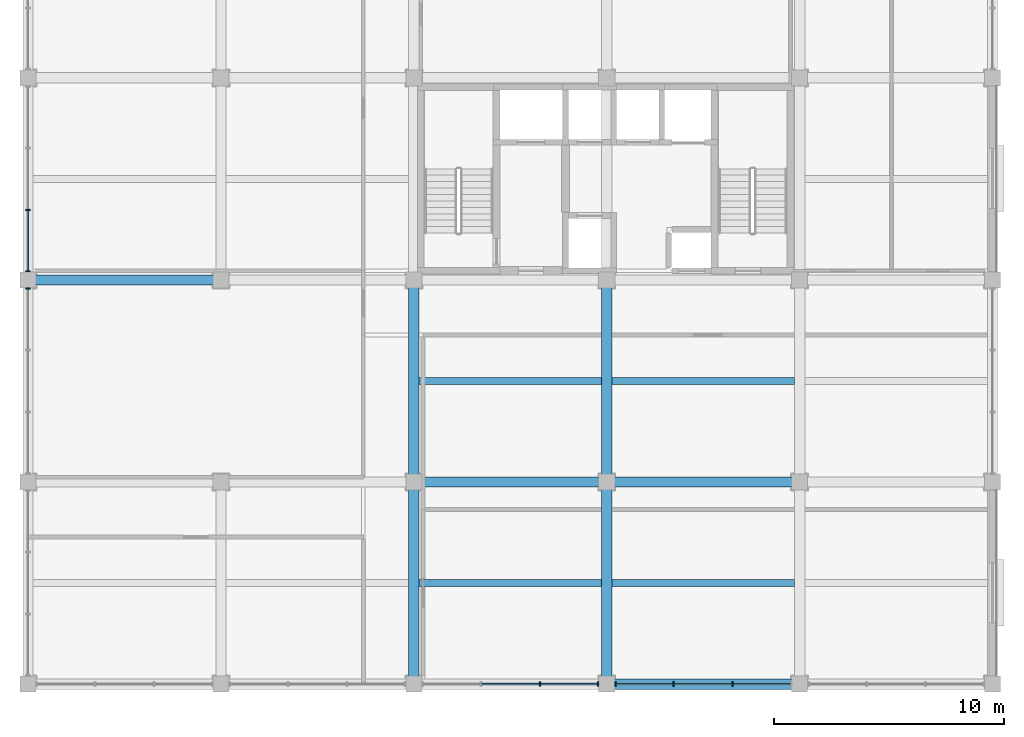
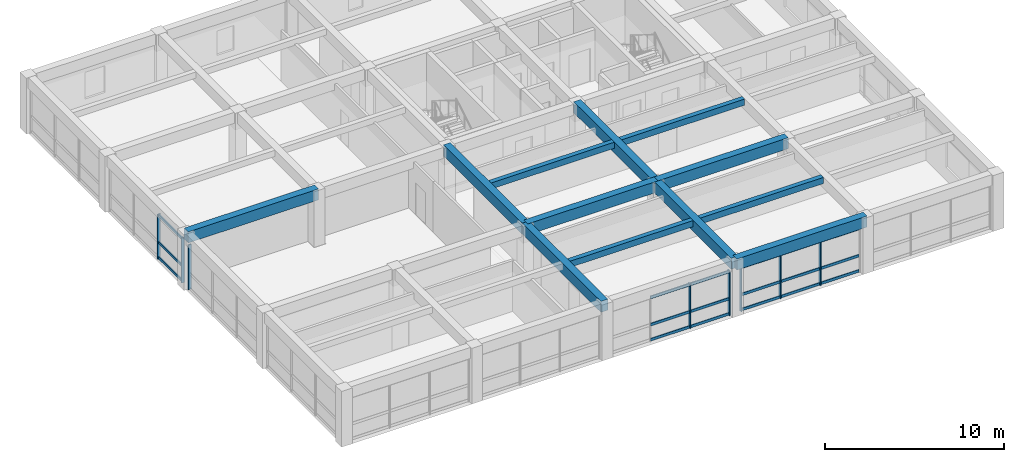
# One storey, part 3 of 13: 26 members, 12 beams, 4 elements without a shape of their own.
"""IFC4 building model written with IfcOpenShell, lengths in metres."""

import ifcopenshell
import ifcopenshell.guid

model = None  # the IFC model being written
_history = None  # IfcOwnerHistory: only IFC2X3 demands one
_inside = {}  # id of a spatial element -> (the spatial element, [elements in it])
_under = {}  # id of a project, library or spatial element -> (it, [spatial elements below it])
_declared = {}  # id of a project -> (the project, [libraries it declares])
_typed = {}  # id of a type object -> (the type object, [elements of that type])
_made_of = {}  # id of a material, layer set ... -> (it, [elements and type objects made of it])


def new_model(schema):
    """Start an empty IFC model of exactly this schema.

    Asked for "IFC4X3", IfcOpenShell would pick the latest addendum, in which some entities
    have other attributes; the version numbers below select the first issue.
    IFC2X3 requires an IfcOwnerHistory on every rooted entity: one is made here for all.
    """
    global model, _history
    if schema == "IFC4X3":
        model = ifcopenshell.file(schema_version=(4, 3, 0, 0))
    else:
        model = ifcopenshell.file(schema=schema)
    _inside.clear()
    _under.clear()
    _declared.clear()
    _typed.clear()
    _made_of.clear()
    _history = None
    if model.schema == "IFC2X3":
        org = make("IfcOrganization", Name="unknown")
        user = make(
            "IfcPersonAndOrganization",
            ThePerson=make("IfcPerson", FamilyName="unknown"),
            TheOrganization=org,
        )
        app = make(
            "IfcApplication",
            ApplicationDeveloper=org,
            Version="unknown",
            ApplicationFullName="unknown",
            ApplicationIdentifier="unknown",
        )
        _history = make(
            "IfcOwnerHistory",
            OwningUser=user,
            OwningApplication=app,
            ChangeAction="ADDED",
            CreationDate=0,
        )
    return model


def make(cls, **values):
    """One entity of the class cls with the attributes given. An attribute that is None is left unset."""
    return model.create_entity(
        cls, **{name: value for name, value in values.items() if value is not None}
    )


def rooted(cls, **values):
    """An entity with a GlobalId (a new one), such as an element, a storey or a relation."""
    return make(cls, GlobalId=ifcopenshell.guid.new(), OwnerHistory=_history, **values)


def si_unit(unit_type, name, prefix=None):
    """IfcSIUnit, for example si_unit("LENGTHUNIT", "METRE", prefix="MILLI")."""
    return make("IfcSIUnit", UnitType=unit_type, Prefix=prefix, Name=name)


def assignment(units):
    """IfcUnitAssignment: the units of a project."""
    return None if units is None else make("IfcUnitAssignment", Units=units)


def point(xyz):
    """IfcCartesianPoint."""
    return None if xyz is None else make("IfcCartesianPoint", Coordinates=xyz)


def direction(xyz):
    """IfcDirection."""
    return None if xyz is None else make("IfcDirection", DirectionRatios=xyz)


def frame(location, z_axis=None, x_axis=None):
    """IfcAxis2Placement3D, a coordinate frame: its origin and axes. An axis left out is left unset."""
    return make(
        "IfcAxis2Placement3D",
        Location=point(location),
        Axis=direction(z_axis),
        RefDirection=direction(x_axis),
    )


def frame_2d(location, x_axis=None):
    """IfcAxis2Placement2D, a coordinate frame in the plane: its origin and x axis."""
    return make(
        "IfcAxis2Placement2D", Location=point(location), RefDirection=direction(x_axis)
    )


def origin():
    """The frame at (0, 0, 0) with its axes left unset."""
    return frame((0.0, 0.0, 0.0))


def origin_2d():
    """The frame at (0, 0) in the plane with its x axis left unset."""
    return frame_2d((0.0, 0.0))


def place(relative_to, where):
    """IfcLocalPlacement: puts the frame where relative to a parent placement (None: the world)."""
    return make(
        "IfcLocalPlacement", PlacementRelTo=relative_to, RelativePlacement=where
    )


def context(
    kind, dimensions, precision=None, world=None, true_north=None, identifier=None
):
    """IfcGeometricRepresentationContext, for example the 3D "Model" context."""
    return make(
        "IfcGeometricRepresentationContext",
        ContextIdentifier=identifier,
        ContextType=kind,
        CoordinateSpaceDimension=dimensions,
        Precision=precision,
        WorldCoordinateSystem=world,
        TrueNorth=true_north,
    )


def subcontext(parent, identifier, kind, view, scale=None):
    """IfcGeometricRepresentationSubContext, for example "Body" below "Model"."""
    return make(
        "IfcGeometricRepresentationSubContext",
        ContextIdentifier=identifier,
        ContextType=kind,
        ParentContext=parent,
        TargetScale=scale,
        TargetView=view,
    )


def project(units=None, contexts=None):
    """IfcProject with its units and contexts."""
    return rooted(
        "IfcProject",
        Name="project",
        RepresentationContexts=contexts,
        UnitsInContext=assignment(units),
    )


def spatial(cls, under=None, at=None, **own):
    """A site, building, storey or space (cls), placed at a placement, below another one or the project."""
    s = rooted(cls, ObjectPlacement=at, **own)
    if under is not None:
        _under.setdefault(under.id(), (under, []))[1].append(s)
    return s


def profile(cls, at=None, kind="AREA", **sizes):
    """A parametric profile (cls). Its sizes go by their IFC names, for example OverallWidth=200.0."""
    return make(cls, ProfileType=kind, Position=at, **sizes)


def rectangle(**sizes):
    """IfcRectangleProfileDef."""
    return profile("IfcRectangleProfileDef", **sizes)


def extrude(swept, where, along, depth):
    """IfcExtrudedAreaSolid: the profile swept, set in the frame where, extruded along a direction by depth."""
    return make(
        "IfcExtrudedAreaSolid",
        SweptArea=swept,
        Position=where,
        ExtrudedDirection=direction(along),
        Depth=depth,
    )


def shape(context_of_items, identifier, shape_type, items):
    """IfcShapeRepresentation: the items that make up one representation, for example the "Body"."""
    return make(
        "IfcShapeRepresentation",
        ContextOfItems=context_of_items,
        RepresentationIdentifier=identifier,
        RepresentationType=shape_type,
        Items=items,
    )


def material(Name=None, Category=None):
    """IfcMaterial."""
    return make("IfcMaterial", Name=Name, Category=Category)


def material_profile(
    of_material, cross_section, Name=None, Category=None, Priority=None
):
    """IfcMaterialProfile: a cross section and its material."""
    return make(
        "IfcMaterialProfile",
        Name=Name,
        Material=of_material,
        Profile=cross_section,
        Priority=Priority,
        Category=Category,
    )


def profile_set(profiles, Name=None, composite=None):
    """IfcMaterialProfileSet."""
    return make(
        "IfcMaterialProfileSet",
        Name=Name,
        MaterialProfiles=profiles,
        CompositeProfile=composite,
    )


def made_of(thing, what):
    """Note that an element or type object is made of a material, layer set ...; save() writes the relation."""
    if what is not None:
        _made_of.setdefault(what.id(), (what, []))[1].append(thing)
    return thing


def type_object(cls, material=None, **own):
    """A type object (cls), such as IfcWallType, which elements share."""
    return made_of(rooted(cls, **own), material)


def element(
    cls,
    number,
    at=None,
    inside=None,
    cuts=None,
    type_object=None,
    material=None,
    context=None,
    identifier="Body",
    shape_type=None,
    held_by="IfcProductDefinitionShape",
    body=None,
    shapes=None,
    **own,
):
    """One element of the class cls, such as IfcWall. Its Tag is "e" and its number.

    at: its placement. inside: the storey or other place that contains it. cuts: it is an
    opening in that element (IfcRelVoidsElement). A single representation is given by context,
    identifier, shape_type and body (its items); several are given by shapes. held_by: the class
    of the entity that holds the representations. save() writes the other relations.
    """
    e = rooted(cls, Tag="e%d" % number, ObjectPlacement=at, **own)
    if body is not None:
        shapes = [shape(context, identifier, shape_type, body)]
    if shapes is not None:
        e.Representation = make(held_by, Representations=shapes)
    if inside is not None:
        _inside.setdefault(inside.id(), (inside, []))[1].append(e)
    if cuts is not None:
        rooted(
            "IfcRelVoidsElement", RelatingBuildingElement=cuts, RelatedOpeningElement=e
        )
    if type_object is not None:
        _typed.setdefault(type_object.id(), (type_object, []))[1].append(e)
    return made_of(e, material)


def aggregate(whole, parts):
    """IfcRelAggregates: a whole, such as a stair, and the parts it consists of."""
    return rooted("IfcRelAggregates", RelatingObject=whole, RelatedObjects=parts)


def save(model, path):
    """Write the relations noted so far, then the file.

    IfcRelAggregates (storeys below a building ...), IfcRelContainedInSpatialStructure (elements
    in a storey), IfcRelDefinesByType, IfcRelAssociatesMaterial and IfcRelDeclares: one each for
    every whole, place, type object, material and project.
    """
    for whole, parts in _under.values():
        aggregate(whole, parts)
    for where, things in _inside.values():
        rooted(
            "IfcRelContainedInSpatialStructure",
            RelatedElements=things,
            RelatingStructure=where,
        )
    for kind, things in _typed.values():
        rooted("IfcRelDefinesByType", RelatedObjects=things, RelatingType=kind)
    for what, things in _made_of.values():
        rooted("IfcRelAssociatesMaterial", RelatedObjects=things, RelatingMaterial=what)
    for by, libraries in _declared.values():
        rooted("IfcRelDeclares", RelatingContext=by, RelatedDefinitions=libraries)
    model.write(path)


model = new_model("IFC4")

# Units and contexts
model_context = context("Model", 3, precision=1e-05, world=origin(), true_north=direction((0.0, 1.0)))
body_context = subcontext(model_context, "Body", "Model", "MODEL_VIEW")
ifc_project = project(units=[si_unit("LENGTHUNIT", "METRE"), si_unit("AREAUNIT", "SQUARE_METRE"), si_unit("VOLUMEUNIT", "CUBIC_METRE"), si_unit("PLANEANGLEUNIT", "RADIAN"), si_unit("MASSUNIT", "GRAM", prefix="KILO")], contexts=[model_context])

# Site, building, storey
site_placement = place(None, origin())
site = spatial("IfcSite", under=ifc_project, at=site_placement, CompositionType="ELEMENT")
building_placement = place(site_placement, origin())
building = spatial("IfcBuilding", under=site, at=building_placement, Name="Kemercrest Conservatory and Botanical Centre", CompositionType="ELEMENT")
storey_placement = place(building_placement, frame((0.0, 0.0, 36.800048828125)))
storey = spatial("IfcBuildingStorey", under=building, at=storey_placement, Name="L09", CompositionType="ELEMENT", Elevation=36.800048828125)

# Beams
ifc_material_1 = material(Name="Concrete C40/50", Category="concrete")
ifc_material_profile_1 = material_profile(ifc_material_1, rectangle(XDim=0.449951171875, YDim=0.75, at=origin_2d()), Name="RC 450x750")
ifc_profile_set_1 = profile_set([ifc_material_profile_1], Name="Concrete C40/50")
beam_type_1 = type_object("IfcBeamType", Name="BM-RC75", PredefinedType="BEAM", material=ifc_profile_set_1)
beam_1_placement = place(storey_placement, frame((150.800048828125, 96.0, 3.425048828125), z_axis=(1.0, 0.0, 0.0), x_axis=(0.0, 1.0, 0.0)))
element("IfcBeam", 1, at=beam_1_placement, inside=storey, type_object=beam_type_1, Name="V4-L10 beam BM-RC75 L/18-19", PredefinedType="BEAM", context=body_context, shape_type="SweptSolid", body=[
    extrude(rectangle(XDim=0.449951171875, YDim=0.75, at=origin_2d()), origin(), (0.0, 0.0, 1.0), 8.39990234375),
])
beam_2_placement = place(storey_placement, frame((159.199951171875, 96.0, 3.425048828125), z_axis=(1.0, 0.0, 0.0), x_axis=(0.0, 1.0, 0.0)))
element("IfcBeam", 2, at=beam_2_placement, inside=storey, type_object=beam_type_1, Name="V4-L10 beam BM-RC75 L/19-20", PredefinedType="BEAM", context=body_context, shape_type="SweptSolid", body=[
    extrude(rectangle(XDim=0.449951171875, YDim=0.75, at=origin_2d()), origin(), (0.0, 0.0, 1.0), 8.400146484375),
])
beam_3_placement = place(storey_placement, frame((134.0, 104.800048828125, 3.425048828125), z_axis=(1.0, 0.0, 0.0), x_axis=(0.0, 1.0, 0.0)))
element("IfcBeam", 3, at=beam_3_placement, inside=storey, type_object=beam_type_1, Name="V4-L10 beam BM-RC75 M/16-17", PredefinedType="BEAM", context=body_context, shape_type="SweptSolid", body=[
    extrude(rectangle(XDim=0.449951171875, YDim=0.75, at=origin_2d()), origin(), (0.0, 0.0, 1.0), 8.39990234375),
])
for number, where, z_axis, x_axis, name in (
    (4, (150.800048828125, 87.199951171875, 3.425048828125), (0.0, 1.0, 0.0), (-1.0, 0.0, 0.0), "V4-L10 beam BM-RC75 18/K-L"),
    (5, (150.800048828125, 96.0, 3.425048828125), (0.0, 1.0, 0.0), (-1.0, 0.0, 0.0), "V4-L10 beam BM-RC75 18/L-M"),
    (6, (159.199951171875, 87.199951171875, 3.425048828125), (0.0, 1.0, 0.0), (-1.0, 0.0, 0.0), "V4-L10 beam BM-RC75 19/K-L"),
    (7, (159.199951171875, 96.0, 3.425048828125), (0.0, 1.0, 0.0), (-1.0, 0.0, 0.0), "V4-L10 beam BM-RC75 19/L-M"),
):
    element("IfcBeam", number, at=place(storey_placement, frame(where, z_axis=z_axis, x_axis=x_axis)), inside=storey, type_object=beam_type_1, Name=name, PredefinedType="BEAM", context=body_context, shape_type="SweptSolid", body=[
        extrude(rectangle(XDim=0.449951171875, YDim=0.75, at=origin_2d()), origin(), (0.0, 0.0, 1.0), 8.800048828125),
    ])

# Curtain wall, members
ifc_material_2 = material(Name="Thermally broken aluminium and triple low-e glazing", Category="aluminium")
curtain_wall_type_1 = type_object("IfcCurtainWallType", Name="CW-13", PredefinedType="USERDEFINED", material=ifc_material_2)
curtain_wall_1_placement = place(storey_placement, origin())
curtain_wall_1 = element("IfcCurtainWall", 8, at=curtain_wall_1_placement, inside=storey, type_object=curtain_wall_type_1, Name="Unitised curtain wall CW-13 (CW:L09:V4-102)", ObjectType="UNITISED CURTAIN WALL", PredefinedType="USERDEFINED")
ifc_material_3 = material(Name="Thermally broken anodized aluminium 6063-T6", Category="aluminium")
ifc_material_profile_2 = material_profile(ifc_material_3, rectangle(XDim=0.199951171875, YDim=0.06494140625, at=origin_2d()), Name="AL MULLION 65x200")
ifc_profile_set_2 = profile_set([ifc_material_profile_2], Name="Thermally broken anodized aluminium 6063-T6")
member_type_1 = type_object("IfcMemberType", Name="CW-M200", PredefinedType="MULLION", material=ifc_profile_set_2)
member_1_placement = place(storey_placement, frame((156.284912109375, 87.199951171875, 0.0), z_axis=(0.0, 0.0, 1.0), x_axis=(0.0, 1.0, 0.0)))
member_1 = element("IfcMember", 9, at=member_1_placement, type_object=member_type_1, Name="CW-13 mullion 3", PredefinedType="MULLION", context=body_context, shape_type="SweptSolid", body=[
    extrude(rectangle(XDim=0.199951171875, YDim=0.06494140625, at=origin_2d()), origin(), (0.0, 0.0, 1.0), 3.054931640625),
])
member_2_placement = place(storey_placement, frame((158.822509765625, 87.199951171875, 0.0), z_axis=(0.0, 0.0, 1.0), x_axis=(0.0, 1.0, 0.0)))
member_2 = element("IfcMember", 10, at=member_2_placement, type_object=member_type_1, Name="CW-13 mullion 4", PredefinedType="MULLION", context=body_context, shape_type="SweptSolid", body=[
    extrude(rectangle(XDim=0.199951171875, YDim=0.06494140625, at=origin_2d()), origin(), (0.0, 0.0, 1.0), 3.054931640625),
])

curtain_wall_type_2 = type_object("IfcCurtainWallType", Name="CW-14", PredefinedType="USERDEFINED", material=ifc_material_2)
curtain_wall_2_placement = place(storey_placement, origin())
curtain_wall_2 = element("IfcCurtainWall", 11, at=curtain_wall_2_placement, inside=storey, type_object=curtain_wall_type_2, Name="Unitised curtain wall CW-14 (CW:L09:V4-103)", ObjectType="UNITISED CURTAIN WALL", PredefinedType="USERDEFINED")
member_3_placement = place(storey_placement, frame((159.577392578125, 87.199951171875, 0.0), z_axis=(0.0, 0.0, 1.0), x_axis=(0.0, 1.0, 0.0)))
member_3 = element("IfcMember", 12, at=member_3_placement, type_object=member_type_1, Name="CW-14 mullion 1", PredefinedType="MULLION", context=body_context, shape_type="SweptSolid", body=[
    extrude(rectangle(XDim=0.199951171875, YDim=0.06494140625, at=origin_2d()), origin(), (0.0, 0.0, 1.0), 3.054931640625),
])
member_4_placement = place(storey_placement, frame((162.114990234375, 87.199951171875, 0.0), z_axis=(0.0, 0.0, 1.0), x_axis=(0.0, 1.0, 0.0)))
member_4 = element("IfcMember", 13, at=member_4_placement, type_object=member_type_1, Name="CW-14 mullion 2", PredefinedType="MULLION", context=body_context, shape_type="SweptSolid", body=[
    extrude(rectangle(XDim=0.199951171875, YDim=0.06494140625, at=origin_2d()), origin(), (0.0, 0.0, 1.0), 3.054931640625),
])
member_5_placement = place(storey_placement, frame((164.68505859375, 87.199951171875, 0.0), z_axis=(0.0, 0.0, 1.0), x_axis=(0.0, 1.0, 0.0)))
member_5 = element("IfcMember", 14, at=member_5_placement, type_object=member_type_1, Name="CW-14 mullion 3", PredefinedType="MULLION", context=body_context, shape_type="SweptSolid", body=[
    extrude(rectangle(XDim=0.199951171875, YDim=0.06494140625, at=origin_2d()), origin(), (0.0, 0.0, 1.0), 3.054931640625),
])

curtain_wall_type_3 = type_object("IfcCurtainWallType", Name="CW-19", PredefinedType="USERDEFINED", material=ifc_material_2)
curtain_wall_3_placement = place(storey_placement, origin())
curtain_wall_3 = element("IfcCurtainWall", 15, at=curtain_wall_3_placement, inside=storey, type_object=curtain_wall_type_3, Name="Unitised curtain wall CW-19 (CW:L09:V4-108)", ObjectType="UNITISED CURTAIN WALL", PredefinedType="USERDEFINED")
member_6_placement = place(storey_placement, frame((134.0, 107.848388671875, 0.0), z_axis=(0.0, 0.0, 1.0), x_axis=(1.0, 0.0, 0.0)))
member_6 = element("IfcMember", 16, at=member_6_placement, type_object=member_type_1, Name="CW-19 mullion 3", PredefinedType="MULLION", context=body_context, shape_type="SweptSolid", body=[
    extrude(rectangle(XDim=0.199951171875, YDim=0.06494140625, at=origin_2d()), origin(), (0.0, 0.0, 1.0), 3.054931640625),
])
member_7_placement = place(storey_placement, frame((134.0, 105.177490234375, 0.0), z_axis=(0.0, 0.0, 1.0), x_axis=(1.0, 0.0, 0.0)))
member_7 = element("IfcMember", 17, at=member_7_placement, type_object=member_type_1, Name="CW-19 mullion 4", PredefinedType="MULLION", context=body_context, shape_type="SweptSolid", body=[
    extrude(rectangle(XDim=0.199951171875, YDim=0.06494140625, at=origin_2d()), origin(), (0.0, 0.0, 1.0), 3.054931640625),
])

# Curtain wall, member
curtain_wall_type_4 = type_object("IfcCurtainWallType", Name="CW-20", PredefinedType="USERDEFINED", material=ifc_material_2)
curtain_wall_4_placement = place(storey_placement, origin())
curtain_wall_4 = element("IfcCurtainWall", 18, at=curtain_wall_4_placement, inside=storey, type_object=curtain_wall_type_4, Name="Unitised curtain wall CW-20 (CW:L09:V4-109)", ObjectType="UNITISED CURTAIN WALL", PredefinedType="USERDEFINED")
member_8_placement = place(storey_placement, frame((134.0, 104.422607421875, 0.0), z_axis=(0.0, 0.0, 1.0), x_axis=(1.0, 0.0, 0.0)))
member_8 = element("IfcMember", 19, at=member_8_placement, type_object=member_type_1, Name="CW-20 mullion 1", PredefinedType="MULLION", context=body_context, shape_type="SweptSolid", body=[
    extrude(rectangle(XDim=0.199951171875, YDim=0.06494140625, at=origin_2d()), origin(), (0.0, 0.0, 1.0), 3.054931640625),
])
aggregate(curtain_wall_4, [member_8])

# Member
ifc_material_profile_3 = material_profile(ifc_material_3, rectangle(XDim=0.074951171875, YDim=0.179931640625, at=origin_2d()), Name="AL TRANSOM 75x180")
ifc_profile_set_3 = profile_set([ifc_material_profile_3], Name="Thermally broken anodized aluminium 6063-T6")
member_type_2 = type_object("IfcMemberType", Name="CW-T180", PredefinedType="USERDEFINED", material=ifc_profile_set_3)
member_9_placement = place(storey_placement, frame((153.74755859375, 87.199951171875, 0.08984375), z_axis=(1.0, 0.0, 0.0), x_axis=(0.0, 1.0, 0.0)))
member_9 = element("IfcMember", 20, at=member_9_placement, type_object=member_type_2, Name="CW-13 transom 2.1", ObjectType="TRANSOM", PredefinedType="USERDEFINED", context=body_context, shape_type="SweptSolid", body=[
    extrude(rectangle(XDim=0.074951171875, YDim=0.179931640625, at=origin_2d()), origin(), (0.0, 0.0, 1.0), 2.5048828125),
])

member_10_placement = place(storey_placement, frame((153.74755859375, 87.199951171875, 1.119873046875), z_axis=(1.0, 0.0, 0.0), x_axis=(0.0, 1.0, 0.0)))
member_10 = element("IfcMember", 21, at=member_10_placement, type_object=member_type_2, Name="CW-13 transom 2.2", ObjectType="TRANSOM", PredefinedType="USERDEFINED", context=body_context, shape_type="SweptSolid", body=[
    extrude(rectangle(XDim=0.074951171875, YDim=0.179931640625, at=origin_2d()), origin(), (0.0, 0.0, 1.0), 2.5048828125),
])

member_11_placement = place(storey_placement, frame((153.74755859375, 87.199951171875, 2.96484375), z_axis=(1.0, 0.0, 0.0), x_axis=(0.0, 1.0, 0.0)))
member_11 = element("IfcMember", 22, at=member_11_placement, type_object=member_type_2, Name="CW-13 transom 2.3", ObjectType="TRANSOM", PredefinedType="USERDEFINED", context=body_context, shape_type="SweptSolid", body=[
    extrude(rectangle(XDim=0.074951171875, YDim=0.179931640625, at=origin_2d()), origin(), (0.0, 0.0, 1.0), 2.5048828125),
])

member_12_placement = place(storey_placement, frame((156.3173828125, 87.199951171875, 0.08984375), z_axis=(1.0, 0.0, 0.0), x_axis=(0.0, 1.0, 0.0)))
member_12 = element("IfcMember", 23, at=member_12_placement, type_object=member_type_2, Name="CW-13 transom 3.1", ObjectType="TRANSOM", PredefinedType="USERDEFINED", context=body_context, shape_type="SweptSolid", body=[
    extrude(rectangle(XDim=0.074951171875, YDim=0.179931640625, at=origin_2d()), origin(), (0.0, 0.0, 1.0), 2.47265625),
])

member_13_placement = place(storey_placement, frame((156.3173828125, 87.199951171875, 1.119873046875), z_axis=(1.0, 0.0, 0.0), x_axis=(0.0, 1.0, 0.0)))
member_13 = element("IfcMember", 24, at=member_13_placement, type_object=member_type_2, Name="CW-13 transom 3.2", ObjectType="TRANSOM", PredefinedType="USERDEFINED", context=body_context, shape_type="SweptSolid", body=[
    extrude(rectangle(XDim=0.074951171875, YDim=0.179931640625, at=origin_2d()), origin(), (0.0, 0.0, 1.0), 2.47265625),
])

member_14_placement = place(storey_placement, frame((156.3173828125, 87.199951171875, 2.96484375), z_axis=(1.0, 0.0, 0.0), x_axis=(0.0, 1.0, 0.0)))
member_14 = element("IfcMember", 25, at=member_14_placement, type_object=member_type_2, Name="CW-13 transom 3.3", ObjectType="TRANSOM", PredefinedType="USERDEFINED", context=body_context, shape_type="SweptSolid", body=[
    extrude(rectangle(XDim=0.074951171875, YDim=0.179931640625, at=origin_2d()), origin(), (0.0, 0.0, 1.0), 2.47265625),
])

aggregate(curtain_wall_1, [member_1, member_2, member_9, member_10, member_11, member_12, member_13, member_14])

member_15_placement = place(storey_placement, frame((159.610107421875, 87.199951171875, 0.08984375), z_axis=(1.0, 0.0, 0.0), x_axis=(0.0, 1.0, 0.0)))
member_15 = element("IfcMember", 26, at=member_15_placement, type_object=member_type_2, Name="CW-14 transom 1.1", ObjectType="TRANSOM", PredefinedType="USERDEFINED", context=body_context, shape_type="SweptSolid", body=[
    extrude(rectangle(XDim=0.074951171875, YDim=0.179931640625, at=origin_2d()), origin(), (0.0, 0.0, 1.0), 2.472412109375),
])

member_16_placement = place(storey_placement, frame((159.610107421875, 87.199951171875, 1.119873046875), z_axis=(1.0, 0.0, 0.0), x_axis=(0.0, 1.0, 0.0)))
member_16 = element("IfcMember", 27, at=member_16_placement, type_object=member_type_2, Name="CW-14 transom 1.2", ObjectType="TRANSOM", PredefinedType="USERDEFINED", context=body_context, shape_type="SweptSolid", body=[
    extrude(rectangle(XDim=0.074951171875, YDim=0.179931640625, at=origin_2d()), origin(), (0.0, 0.0, 1.0), 2.472412109375),
])

member_17_placement = place(storey_placement, frame((159.610107421875, 87.199951171875, 2.96484375), z_axis=(1.0, 0.0, 0.0), x_axis=(0.0, 1.0, 0.0)))
member_17 = element("IfcMember", 28, at=member_17_placement, type_object=member_type_2, Name="CW-14 transom 1.3", ObjectType="TRANSOM", PredefinedType="USERDEFINED", context=body_context, shape_type="SweptSolid", body=[
    extrude(rectangle(XDim=0.074951171875, YDim=0.179931640625, at=origin_2d()), origin(), (0.0, 0.0, 1.0), 2.472412109375),
])

member_18_placement = place(storey_placement, frame((162.1474609375, 87.199951171875, 0.08984375), z_axis=(1.0, 0.0, 0.0), x_axis=(0.0, 1.0, 0.0)))
member_18 = element("IfcMember", 29, at=member_18_placement, type_object=member_type_2, Name="CW-14 transom 2.1", ObjectType="TRANSOM", PredefinedType="USERDEFINED", context=body_context, shape_type="SweptSolid", body=[
    extrude(rectangle(XDim=0.074951171875, YDim=0.179931640625, at=origin_2d()), origin(), (0.0, 0.0, 1.0), 2.505126953125),
])

member_19_placement = place(storey_placement, frame((162.1474609375, 87.199951171875, 1.119873046875), z_axis=(1.0, 0.0, 0.0), x_axis=(0.0, 1.0, 0.0)))
member_19 = element("IfcMember", 30, at=member_19_placement, type_object=member_type_2, Name="CW-14 transom 2.2", ObjectType="TRANSOM", PredefinedType="USERDEFINED", context=body_context, shape_type="SweptSolid", body=[
    extrude(rectangle(XDim=0.074951171875, YDim=0.179931640625, at=origin_2d()), origin(), (0.0, 0.0, 1.0), 2.505126953125),
])

member_20_placement = place(storey_placement, frame((162.1474609375, 87.199951171875, 2.96484375), z_axis=(1.0, 0.0, 0.0), x_axis=(0.0, 1.0, 0.0)))
member_20 = element("IfcMember", 31, at=member_20_placement, type_object=member_type_2, Name="CW-14 transom 2.3", ObjectType="TRANSOM", PredefinedType="USERDEFINED", context=body_context, shape_type="SweptSolid", body=[
    extrude(rectangle(XDim=0.074951171875, YDim=0.179931640625, at=origin_2d()), origin(), (0.0, 0.0, 1.0), 2.505126953125),
])

member_21_placement = place(storey_placement, frame((164.717529296875, 87.199951171875, 0.08984375), z_axis=(1.0, 0.0, 0.0), x_axis=(0.0, 1.0, 0.0)))
member_21 = element("IfcMember", 32, at=member_21_placement, type_object=member_type_2, Name="CW-14 transom 3.1", ObjectType="TRANSOM", PredefinedType="USERDEFINED", context=body_context, shape_type="SweptSolid", body=[
    extrude(rectangle(XDim=0.074951171875, YDim=0.179931640625, at=origin_2d()), origin(), (0.0, 0.0, 1.0), 2.472412109375),
])

member_22_placement = place(storey_placement, frame((164.717529296875, 87.199951171875, 1.119873046875), z_axis=(1.0, 0.0, 0.0), x_axis=(0.0, 1.0, 0.0)))
member_22 = element("IfcMember", 33, at=member_22_placement, type_object=member_type_2, Name="CW-14 transom 3.2", ObjectType="TRANSOM", PredefinedType="USERDEFINED", context=body_context, shape_type="SweptSolid", body=[
    extrude(rectangle(XDim=0.074951171875, YDim=0.179931640625, at=origin_2d()), origin(), (0.0, 0.0, 1.0), 2.472412109375),
])

member_23_placement = place(storey_placement, frame((164.717529296875, 87.199951171875, 2.96484375), z_axis=(1.0, 0.0, 0.0), x_axis=(0.0, 1.0, 0.0)))
member_23 = element("IfcMember", 34, at=member_23_placement, type_object=member_type_2, Name="CW-14 transom 3.3", ObjectType="TRANSOM", PredefinedType="USERDEFINED", context=body_context, shape_type="SweptSolid", body=[
    extrude(rectangle(XDim=0.074951171875, YDim=0.179931640625, at=origin_2d()), origin(), (0.0, 0.0, 1.0), 2.472412109375),
])

aggregate(curtain_wall_2, [member_3, member_4, member_5, member_15, member_16, member_17, member_18, member_19, member_20, member_21, member_22, member_23])

member_24_placement = place(storey_placement, frame((134.0, 107.81591796875, 0.08984375), z_axis=(0.0, -1.0, 0.0), x_axis=(1.0, 0.0, 0.0)))
member_24 = element("IfcMember", 35, at=member_24_placement, type_object=member_type_2, Name="CW-19 transom 3.1", ObjectType="TRANSOM", PredefinedType="USERDEFINED", context=body_context, shape_type="SweptSolid", body=[
    extrude(rectangle(XDim=0.074951171875, YDim=0.179931640625, at=origin_2d()), origin(), (0.0, 0.0, 1.0), 2.60595703125),
])

member_25_placement = place(storey_placement, frame((134.0, 107.81591796875, 1.119873046875), z_axis=(0.0, -1.0, 0.0), x_axis=(1.0, 0.0, 0.0)))
member_25 = element("IfcMember", 36, at=member_25_placement, type_object=member_type_2, Name="CW-19 transom 3.2", ObjectType="TRANSOM", PredefinedType="USERDEFINED", context=body_context, shape_type="SweptSolid", body=[
    extrude(rectangle(XDim=0.074951171875, YDim=0.179931640625, at=origin_2d()), origin(), (0.0, 0.0, 1.0), 2.60595703125),
])

member_26_placement = place(storey_placement, frame((134.0, 107.81591796875, 2.96484375), z_axis=(0.0, -1.0, 0.0), x_axis=(1.0, 0.0, 0.0)))
member_26 = element("IfcMember", 37, at=member_26_placement, type_object=member_type_2, Name="CW-19 transom 3.3", ObjectType="TRANSOM", PredefinedType="USERDEFINED", context=body_context, shape_type="SweptSolid", body=[
    extrude(rectangle(XDim=0.074951171875, YDim=0.179931640625, at=origin_2d()), origin(), (0.0, 0.0, 1.0), 2.60595703125),
])

aggregate(curtain_wall_3, [member_6, member_7, member_24, member_25, member_26])

# Beams
ifc_material_profile_4 = material_profile(ifc_material_1, rectangle(XDim=0.300048828125, YDim=0.419921875, at=origin_2d()), Name="RC 300x420")
ifc_profile_set_4 = profile_set([ifc_material_profile_4], Name="Concrete C40/50")
beam_type_2 = type_object("IfcBeamType", Name="JS-RC42", PredefinedType="JOIST", material=ifc_profile_set_4)
beam_4_placement = place(storey_placement, frame((151.02490234375, 91.60009765625, 3.58984375), z_axis=(1.0, 0.0, 0.0), x_axis=(0.0, 1.0, 0.0)))
element("IfcBeam", 38, at=beam_4_placement, inside=storey, type_object=beam_type_2, Name="V4-L10 secondary joist JS-RC42", PredefinedType="JOIST", context=body_context, shape_type="SweptSolid", body=[
    extrude(rectangle(XDim=0.300048828125, YDim=0.419921875, at=origin_2d()), origin(), (0.0, 0.0, 1.0), 7.9501953125),
])
beam_5_placement = place(storey_placement, frame((159.425048828125, 91.60009765625, 3.58984375), z_axis=(1.0, 0.0, 0.0), x_axis=(0.0, 1.0, 0.0)))
element("IfcBeam", 39, at=beam_5_placement, inside=storey, type_object=beam_type_2, Name="V4-L10 secondary joist JS-RC42", PredefinedType="JOIST", context=body_context, shape_type="SweptSolid", body=[
    extrude(rectangle(XDim=0.300048828125, YDim=0.419921875, at=origin_2d()), origin(), (0.0, 0.0, 1.0), 7.949951171875),
])
beam_6_placement = place(storey_placement, frame((151.02490234375, 100.39990234375, 3.58984375), z_axis=(1.0, 0.0, 0.0), x_axis=(0.0, 1.0, 0.0)))
element("IfcBeam", 40, at=beam_6_placement, inside=storey, type_object=beam_type_2, Name="V4-L10 secondary joist JS-RC42", PredefinedType="JOIST", context=body_context, shape_type="SweptSolid", body=[
    extrude(rectangle(XDim=0.300048828125, YDim=0.419921875, at=origin_2d()), origin(), (0.0, 0.0, 1.0), 7.9501953125),
])
beam_7_placement = place(storey_placement, frame((159.425048828125, 100.39990234375, 3.58984375), z_axis=(1.0, 0.0, 0.0), x_axis=(0.0, 1.0, 0.0)))
element("IfcBeam", 41, at=beam_7_placement, inside=storey, type_object=beam_type_2, Name="V4-L10 secondary joist JS-RC42", PredefinedType="JOIST", context=body_context, shape_type="SweptSolid", body=[
    extrude(rectangle(XDim=0.300048828125, YDim=0.419921875, at=origin_2d()), origin(), (0.0, 0.0, 1.0), 7.949951171875),
])
ifc_material_profile_5 = material_profile(ifc_material_1, rectangle(XDim=0.449951171875, YDim=0.75, at=origin_2d()), Name="RC 450x750")
ifc_profile_set_5 = profile_set([ifc_material_profile_5], Name="Concrete C40/50")
beam_type_3 = type_object("IfcBeamType", Name="SP-RC75", PredefinedType="SPANDREL", material=ifc_profile_set_5)
beam_8_placement = place(storey_placement, frame((159.199951171875, 87.199951171875, 3.425048828125), z_axis=(1.0, 0.0, 0.0), x_axis=(0.0, 1.0, 0.0)))
element("IfcBeam", 42, at=beam_8_placement, inside=storey, type_object=beam_type_3, Name="V4-L10 beam SP-RC75 K/19-20", PredefinedType="SPANDREL", context=body_context, shape_type="SweptSolid", body=[
    extrude(rectangle(XDim=0.449951171875, YDim=0.75, at=origin_2d()), origin(), (0.0, 0.0, 1.0), 8.400146484375),
])

save(model, "model.ifc")
